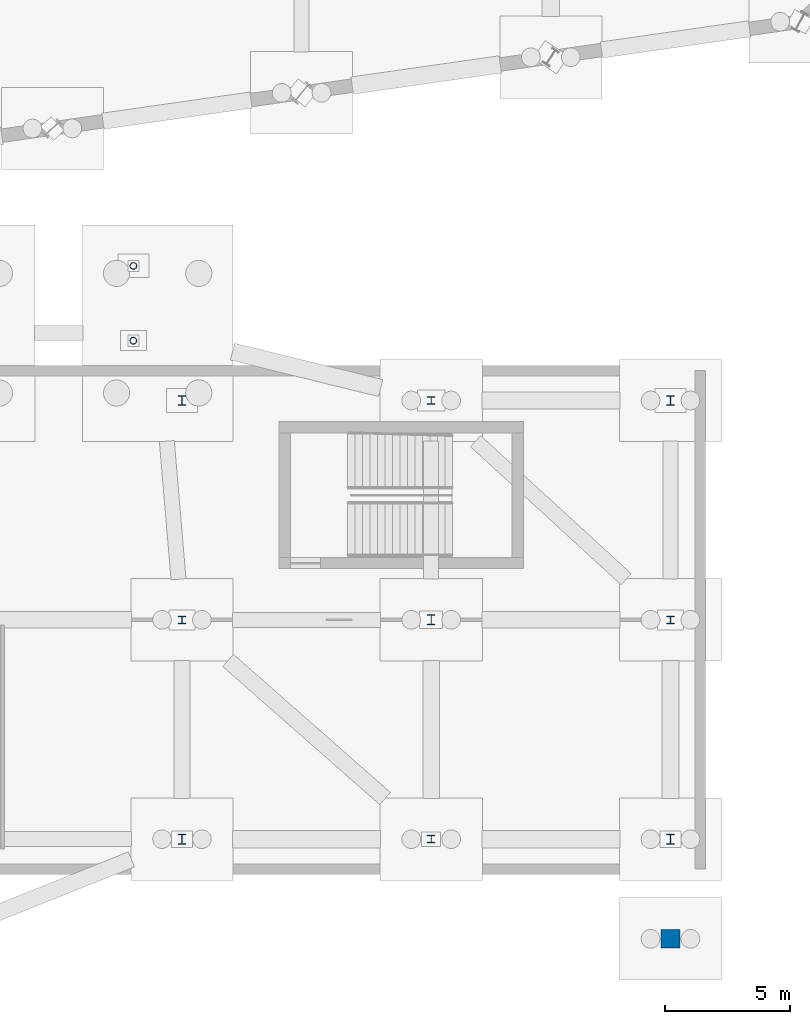
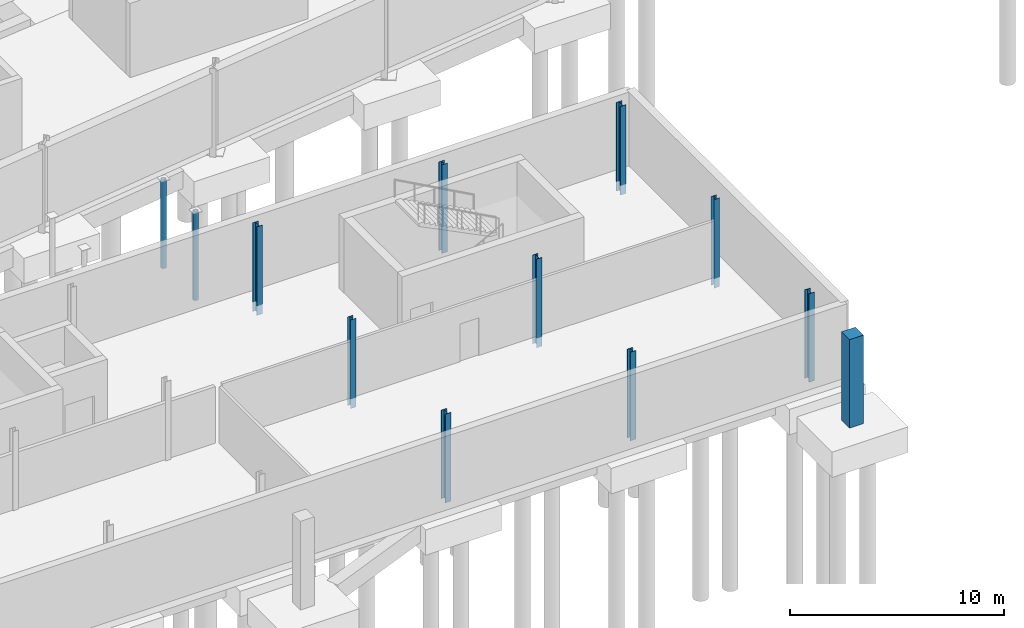
# One storey, part 25 of 55: 12 columns.
"""IFC4 building model written with IfcOpenShell, lengths in metres."""

from ifc_helpers import new_model, si_unit, direction, frame, origin, origin_2d, place, context, subcontext, project, spatial, rectangle, hollow_circle, i_section, extrude, material, material_profile, profile_set, type_object, element, save


model = new_model("IFC4")

# Units and contexts
model_context = context("Model", 3, precision=1e-05, world=origin(), true_north=direction((0.0, 1.0)))
body_context = subcontext(model_context, "Body", "Model", "MODEL_VIEW")
ifc_project = project(units=[si_unit("LENGTHUNIT", "METRE"), si_unit("AREAUNIT", "SQUARE_METRE"), si_unit("VOLUMEUNIT", "CUBIC_METRE"), si_unit("PLANEANGLEUNIT", "RADIAN"), si_unit("MASSUNIT", "GRAM", prefix="KILO")], contexts=[model_context])

# Site, building, storey
site_placement = place(None, origin())
site = spatial("IfcSite", under=ifc_project, at=site_placement, CompositionType="ELEMENT")
building_placement = place(site_placement, origin())
building = spatial("IfcBuilding", under=site, at=building_placement, Name="Sohan Crest Arena", CompositionType="ELEMENT")
storey_placement = place(building_placement, frame((0.0, 0.0, -4.5)))
storey = spatial("IfcBuildingStorey", under=building, at=storey_placement, Name="B1", CompositionType="ELEMENT", Elevation=-4.5)

# Columns
ifc_material_1 = material(Name="Concrete C40/50", Category="concrete")
ifc_material_profile_1 = material_profile(ifc_material_1, rectangle(XDim=0.75, YDim=0.75, at=origin_2d()), Name="RC 750x750")
ifc_profile_set_1 = profile_set([ifc_material_profile_1], Name="Concrete C40/50")
column_type_1 = type_object("IfcColumnType", Name="STR-COL-C04", PredefinedType="COLUMN", material=ifc_profile_set_1)
column_placement = place(storey_placement, frame((162.800048828125, 3.199951171875, -0.550048828125), z_axis=(0.0, 0.0, 1.0), x_axis=(1.0, 0.0, 0.0)))
element("IfcColumn", 1, at=column_placement, inside=storey, type_object=column_type_1, Name="Structural column COL-V5AP-4-B1", PredefinedType="COLUMN", context=body_context, shape_type="SweptSolid", body=[
    extrude(rectangle(XDim=0.75, YDim=0.75, at=origin_2d()), origin(), (0.0, 0.0, 1.0), 5.050048828125),
])
ifc_material_2 = material(Name="Steel S355", Category="steel")
ifc_material_profile_2 = material_profile(ifc_material_2, i_section(OverallWidth=0.300048828125, OverallDepth=0.300048828125, WebThickness=0.010986328125, FlangeThickness=0.01904296875, at=origin_2d()), Name="HEB 300")
ifc_profile_set_2 = profile_set([ifc_material_profile_2], Name="Steel S355")
column_type_2 = type_object("IfcColumnType", Name="STR-COL-C17", PredefinedType="COLUMN", material=ifc_profile_set_2)
for number, where, z_axis, x_axis, name in (
    (2, (143.199951171875, 16.0, -0.550048828125), (0.0, 0.0, 1.0), (1.0, 0.0, 0.0), "Structural column COL-V5C-08-2-B1"),
    (3, (153.199951171875, 7.199951171875, -0.550048828125), (0.0, 0.0, 1.0), (1.0, 0.0, 0.0), "Structural column COL-V5C-09-1-B1"),
    (4, (153.199951171875, 24.800048828125, -0.550048828125), (0.0, 0.0, 1.0), (1.0, 0.0, 0.0), "Structural column COL-V5C-09-3-B1"),
    (5, (162.800048828125, 16.0, -0.550048828125), (0.0, 0.0, 1.0), (1.0, 0.0, 0.0), "Structural column COL-V5C-10-2-B1"),
):
    element("IfcColumn", number, at=place(storey_placement, frame(where, z_axis=z_axis, x_axis=x_axis)), inside=storey, type_object=column_type_2, Name=name, PredefinedType="COLUMN", context=body_context, shape_type="SweptSolid", body=[
        extrude(i_section(OverallWidth=0.300048828125, OverallDepth=0.300048828125, WebThickness=0.010986328125, FlangeThickness=0.01904296875, at=origin_2d()), origin(), (0.0, 0.0, 1.0), 5.050048828125),
    ])
ifc_material_profile_3 = material_profile(ifc_material_2, i_section(OverallWidth=0.300048828125, OverallDepth=0.39990234375, WebThickness=0.013427734375, FlangeThickness=0.02392578125, at=origin_2d()), Name="HEB 400")
ifc_profile_set_3 = profile_set([ifc_material_profile_3], Name="Steel S355")
column_type_3 = type_object("IfcColumnType", Name="STR-COL-C18", PredefinedType="COLUMN", material=ifc_profile_set_3)
for number, where, z_axis, x_axis, name in (
    (6, (143.199951171875, 7.199951171875, -0.550048828125), (0.0, 0.0, 1.0), (1.0, 0.0, 0.0), "Structural column COL-V5C-08-1-B1"),
    (7, (143.199951171875, 24.800048828125, -0.550048828125), (0.0, 0.0, 1.0), (1.0, 0.0, 0.0), "Structural column COL-V5C-08-3-B1"),
    (8, (153.199951171875, 16.0, -0.550048828125), (0.0, 0.0, 1.0), (1.0, 0.0, 0.0), "Structural column COL-V5C-09-2-B1"),
    (9, (162.800048828125, 7.199951171875, -0.550048828125), (0.0, 0.0, 1.0), (1.0, 0.0, 0.0), "Structural column COL-V5C-10-1-B1"),
    (10, (162.800048828125, 24.800048828125, -0.550048828125), (0.0, 0.0, 1.0), (1.0, 0.0, 0.0), "Structural column COL-V5C-10-3-B1"),
):
    element("IfcColumn", number, at=place(storey_placement, frame(where, z_axis=z_axis, x_axis=x_axis)), inside=storey, type_object=column_type_3, Name=name, PredefinedType="COLUMN", context=body_context, shape_type="SweptSolid", body=[
        extrude(i_section(OverallWidth=0.300048828125, OverallDepth=0.39990234375, WebThickness=0.013427734375, FlangeThickness=0.02392578125, at=origin_2d()), origin(), (0.0, 0.0, 1.0), 5.050048828125),
    ])
ifc_material_profile_4 = material_profile(ifc_material_2, hollow_circle(Radius=0.136474609375, WallThickness=0.012451171875, at=origin_2d()), Name="CHS 273x12.5")
ifc_profile_set_4 = profile_set([ifc_material_profile_4], Name="Steel S355")
column_type_4 = type_object("IfcColumnType", Name="STR-COL-C25", PredefinedType="COLUMN", material=ifc_profile_set_4)
for number, where, z_axis, x_axis, name in (
    (11, (141.25, 27.199951171875, -0.550048828125), (0.0, 0.0, 1.0), (1.0, 0.0, 0.0), "Structural column COL-BC-BR-S2-3-B1"),
    (12, (141.25, 30.199951171875, -0.550048828125), (0.0, 0.0, 1.0), (1.0, 0.0, 0.0), "Structural column COL-BC-BR-S2-4-B1"),
):
    element("IfcColumn", number, at=place(storey_placement, frame(where, z_axis=z_axis, x_axis=x_axis)), inside=storey, type_object=column_type_4, Name=name, PredefinedType="COLUMN", context=body_context, shape_type="SweptSolid", body=[
        extrude(hollow_circle(Radius=0.136474609375, WallThickness=0.012451171875, at=origin_2d()), origin(), (0.0, 0.0, 1.0), 5.050048828125),
    ])

save(model, "model.ifc")
